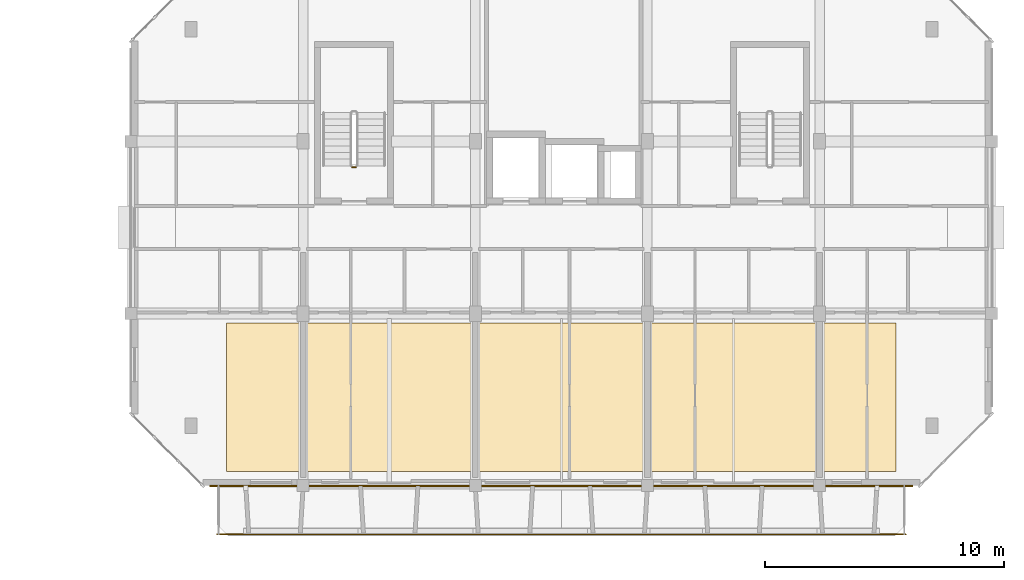
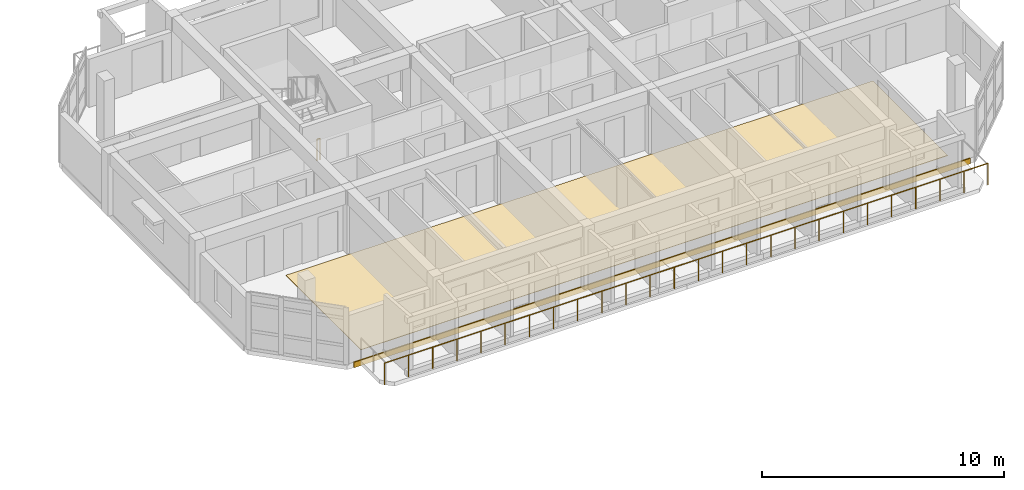
# One storey, part 40 of 44: 2 coverings, 2 railings.
"""IFC4 building model written with IfcOpenShell, lengths in metres."""

import ifcopenshell
import ifcopenshell.guid

model = None  # the IFC model being written
_history = None  # IfcOwnerHistory: only IFC2X3 demands one
_inside = {}  # id of a spatial element -> (the spatial element, [elements in it])
_under = {}  # id of a project, library or spatial element -> (it, [spatial elements below it])
_declared = {}  # id of a project -> (the project, [libraries it declares])
_typed = {}  # id of a type object -> (the type object, [elements of that type])
_made_of = {}  # id of a material, layer set ... -> (it, [elements and type objects made of it])


def new_model(schema):
    """Start an empty IFC model of exactly this schema.

    Asked for "IFC4X3", IfcOpenShell would pick the latest addendum, in which some entities
    have other attributes; the version numbers below select the first issue.
    IFC2X3 requires an IfcOwnerHistory on every rooted entity: one is made here for all.
    """
    global model, _history
    if schema == "IFC4X3":
        model = ifcopenshell.file(schema_version=(4, 3, 0, 0))
    else:
        model = ifcopenshell.file(schema=schema)
    _inside.clear()
    _under.clear()
    _declared.clear()
    _typed.clear()
    _made_of.clear()
    _history = None
    if model.schema == "IFC2X3":
        org = make("IfcOrganization", Name="unknown")
        user = make(
            "IfcPersonAndOrganization",
            ThePerson=make("IfcPerson", FamilyName="unknown"),
            TheOrganization=org,
        )
        app = make(
            "IfcApplication",
            ApplicationDeveloper=org,
            Version="unknown",
            ApplicationFullName="unknown",
            ApplicationIdentifier="unknown",
        )
        _history = make(
            "IfcOwnerHistory",
            OwningUser=user,
            OwningApplication=app,
            ChangeAction="ADDED",
            CreationDate=0,
        )
    return model


def make(cls, **values):
    """One entity of the class cls with the attributes given. An attribute that is None is left unset."""
    return model.create_entity(
        cls, **{name: value for name, value in values.items() if value is not None}
    )


def rooted(cls, **values):
    """An entity with a GlobalId (a new one), such as an element, a storey or a relation."""
    return make(cls, GlobalId=ifcopenshell.guid.new(), OwnerHistory=_history, **values)


def si_unit(unit_type, name, prefix=None):
    """IfcSIUnit, for example si_unit("LENGTHUNIT", "METRE", prefix="MILLI")."""
    return make("IfcSIUnit", UnitType=unit_type, Prefix=prefix, Name=name)


def assignment(units):
    """IfcUnitAssignment: the units of a project."""
    return None if units is None else make("IfcUnitAssignment", Units=units)


def point(xyz):
    """IfcCartesianPoint."""
    return None if xyz is None else make("IfcCartesianPoint", Coordinates=xyz)


def direction(xyz):
    """IfcDirection."""
    return None if xyz is None else make("IfcDirection", DirectionRatios=xyz)


def frame(location, z_axis=None, x_axis=None):
    """IfcAxis2Placement3D, a coordinate frame: its origin and axes. An axis left out is left unset."""
    return make(
        "IfcAxis2Placement3D",
        Location=point(location),
        Axis=direction(z_axis),
        RefDirection=direction(x_axis),
    )


def frame_2d(location, x_axis=None):
    """IfcAxis2Placement2D, a coordinate frame in the plane: its origin and x axis."""
    return make(
        "IfcAxis2Placement2D", Location=point(location), RefDirection=direction(x_axis)
    )


def origin():
    """The frame at (0, 0, 0) with its axes left unset."""
    return frame((0.0, 0.0, 0.0))


def origin_2d():
    """The frame at (0, 0) in the plane with its x axis left unset."""
    return frame_2d((0.0, 0.0))


def place(relative_to, where):
    """IfcLocalPlacement: puts the frame where relative to a parent placement (None: the world)."""
    return make(
        "IfcLocalPlacement", PlacementRelTo=relative_to, RelativePlacement=where
    )


def context(
    kind, dimensions, precision=None, world=None, true_north=None, identifier=None
):
    """IfcGeometricRepresentationContext, for example the 3D "Model" context."""
    return make(
        "IfcGeometricRepresentationContext",
        ContextIdentifier=identifier,
        ContextType=kind,
        CoordinateSpaceDimension=dimensions,
        Precision=precision,
        WorldCoordinateSystem=world,
        TrueNorth=true_north,
    )


def subcontext(parent, identifier, kind, view, scale=None):
    """IfcGeometricRepresentationSubContext, for example "Body" below "Model"."""
    return make(
        "IfcGeometricRepresentationSubContext",
        ContextIdentifier=identifier,
        ContextType=kind,
        ParentContext=parent,
        TargetScale=scale,
        TargetView=view,
    )


def project(units=None, contexts=None):
    """IfcProject with its units and contexts."""
    return rooted(
        "IfcProject",
        Name="project",
        RepresentationContexts=contexts,
        UnitsInContext=assignment(units),
    )


def spatial(cls, under=None, at=None, **own):
    """A site, building, storey or space (cls), placed at a placement, below another one or the project."""
    s = rooted(cls, ObjectPlacement=at, **own)
    if under is not None:
        _under.setdefault(under.id(), (under, []))[1].append(s)
    return s


def polyline(points):
    """IfcPolyline through the points."""
    return make("IfcPolyline", Points=[point(p) for p in points])


def profile(cls, at=None, kind="AREA", **sizes):
    """A parametric profile (cls). Its sizes go by their IFC names, for example OverallWidth=200.0."""
    return make(cls, ProfileType=kind, Position=at, **sizes)


def rectangle(**sizes):
    """IfcRectangleProfileDef."""
    return profile("IfcRectangleProfileDef", **sizes)


def circle(**sizes):
    """IfcCircleProfileDef."""
    return profile("IfcCircleProfileDef", **sizes)


def outline(outer, holes=None, kind="AREA"):
    """IfcArbitraryClosedProfileDef: a profile drawn as a closed curve; with holes, ...WithVoids."""
    if holes is None:
        return make("IfcArbitraryClosedProfileDef", ProfileType=kind, OuterCurve=outer)
    return make(
        "IfcArbitraryProfileDefWithVoids",
        ProfileType=kind,
        OuterCurve=outer,
        InnerCurves=holes,
    )


def extrude(swept, where, along, depth):
    """IfcExtrudedAreaSolid: the profile swept, set in the frame where, extruded along a direction by depth."""
    return make(
        "IfcExtrudedAreaSolid",
        SweptArea=swept,
        Position=where,
        ExtrudedDirection=direction(along),
        Depth=depth,
    )


def shape(context_of_items, identifier, shape_type, items):
    """IfcShapeRepresentation: the items that make up one representation, for example the "Body"."""
    return make(
        "IfcShapeRepresentation",
        ContextOfItems=context_of_items,
        RepresentationIdentifier=identifier,
        RepresentationType=shape_type,
        Items=items,
    )


def material(Name=None, Category=None):
    """IfcMaterial."""
    return make("IfcMaterial", Name=Name, Category=Category)


def layer(
    of_material, thickness, ventilated=None, Name=None, Category=None, Priority=None
):
    """IfcMaterialLayer: one layer of a wall or slab, of a material (None: an air gap)."""
    return make(
        "IfcMaterialLayer",
        Material=of_material,
        LayerThickness=thickness,
        IsVentilated=ventilated,
        Name=Name,
        Category=Category,
        Priority=Priority,
    )


def layer_set(layers, Name=None):
    """IfcMaterialLayerSet."""
    return make("IfcMaterialLayerSet", MaterialLayers=layers, LayerSetName=Name)


def made_of(thing, what):
    """Note that an element or type object is made of a material, layer set ...; save() writes the relation."""
    if what is not None:
        _made_of.setdefault(what.id(), (what, []))[1].append(thing)
    return thing


def type_object(cls, material=None, **own):
    """A type object (cls), such as IfcWallType, which elements share."""
    return made_of(rooted(cls, **own), material)


def element(
    cls,
    number,
    at=None,
    inside=None,
    cuts=None,
    type_object=None,
    material=None,
    context=None,
    identifier="Body",
    shape_type=None,
    held_by="IfcProductDefinitionShape",
    body=None,
    shapes=None,
    **own,
):
    """One element of the class cls, such as IfcWall. Its Tag is "e" and its number.

    at: its placement. inside: the storey or other place that contains it. cuts: it is an
    opening in that element (IfcRelVoidsElement). A single representation is given by context,
    identifier, shape_type and body (its items); several are given by shapes. held_by: the class
    of the entity that holds the representations. save() writes the other relations.
    """
    e = rooted(cls, Tag="e%d" % number, ObjectPlacement=at, **own)
    if body is not None:
        shapes = [shape(context, identifier, shape_type, body)]
    if shapes is not None:
        e.Representation = make(held_by, Representations=shapes)
    if inside is not None:
        _inside.setdefault(inside.id(), (inside, []))[1].append(e)
    if cuts is not None:
        rooted(
            "IfcRelVoidsElement", RelatingBuildingElement=cuts, RelatedOpeningElement=e
        )
    if type_object is not None:
        _typed.setdefault(type_object.id(), (type_object, []))[1].append(e)
    return made_of(e, material)


def aggregate(whole, parts):
    """IfcRelAggregates: a whole, such as a stair, and the parts it consists of."""
    return rooted("IfcRelAggregates", RelatingObject=whole, RelatedObjects=parts)


def save(model, path):
    """Write the relations noted so far, then the file.

    IfcRelAggregates (storeys below a building ...), IfcRelContainedInSpatialStructure (elements
    in a storey), IfcRelDefinesByType, IfcRelAssociatesMaterial and IfcRelDeclares: one each for
    every whole, place, type object, material and project.
    """
    for whole, parts in _under.values():
        aggregate(whole, parts)
    for where, things in _inside.values():
        rooted(
            "IfcRelContainedInSpatialStructure",
            RelatedElements=things,
            RelatingStructure=where,
        )
    for kind, things in _typed.values():
        rooted("IfcRelDefinesByType", RelatedObjects=things, RelatingType=kind)
    for what, things in _made_of.values():
        rooted("IfcRelAssociatesMaterial", RelatedObjects=things, RelatingMaterial=what)
    for by, libraries in _declared.values():
        rooted("IfcRelDeclares", RelatingContext=by, RelatedDefinitions=libraries)
    model.write(path)


model = new_model("IFC4")

# Units and contexts
model_context = context("Model", 3, precision=1e-05, world=origin(), true_north=direction((0.0, 1.0)))
body_context = subcontext(model_context, "Body", "Model", "MODEL_VIEW")
ifc_project = project(units=[si_unit("LENGTHUNIT", "METRE"), si_unit("AREAUNIT", "SQUARE_METRE"), si_unit("VOLUMEUNIT", "CUBIC_METRE"), si_unit("PLANEANGLEUNIT", "RADIAN"), si_unit("MASSUNIT", "GRAM", prefix="KILO")], contexts=[model_context])

# Site, building, storey
site_placement = place(None, origin())
site = spatial("IfcSite", under=ifc_project, at=site_placement, CompositionType="ELEMENT")
building_placement = place(site_placement, origin())
building = spatial("IfcBuilding", under=site, at=building_placement, Name="Ochrevale Crest", CompositionType="ELEMENT")
storey_placement = place(building_placement, frame((0.0, 0.0, 21.300048828125)))
storey = spatial("IfcBuildingStorey", under=building, at=storey_placement, Name="L06", CompositionType="ELEMENT", Elevation=21.300048828125)

# Coverings
ifc_material_1 = material(Name="Glazed terracotta rainscreen tile", Category="masonry")
ifc_layer_1 = layer(ifc_material_1, 0.048095703125)
ifc_layer_set_1 = layer_set([ifc_layer_1], Name="Glazed terracotta rainscreen tile")
covering_type_1 = type_object("IfcCoveringType", Name="COV-CLAD-TER", PredefinedType="CLADDING", material=ifc_layer_set_1)
covering_1_placement = place(storey_placement, frame((147.60009765625, 14.387451171875, -0.26025390625), z_axis=(0.0, 0.0, 1.0), x_axis=(1.0, 0.0, 0.0)))
element("IfcCovering", 1, at=covering_1_placement, inside=storey, type_object=covering_type_1, Name="Block C L06 terracotta slab-edge spandrel cladding", PredefinedType="CLADDING", context=body_context, shape_type="SweptSolid", body=[
    extrude(rectangle(XDim=29.39990234375, YDim=0.06005859375, at=origin_2d()), origin(), (0.0, 0.0, 1.0), 0.280029296875),
])
ifc_material_2 = material(Name="Engineered spotted-gum hardwood flooring", Category="wood")
ifc_layer_2 = layer(ifc_material_2, 0.02001953125)
ifc_layer_set_2 = layer_set([ifc_layer_2], Name="Engineered spotted-gum hardwood flooring")
covering_type_2 = type_object("IfcCoveringType", Name="COV-FLR-TIM", PredefinedType="FLOORING", material=ifc_layer_set_2)
covering_2_placement = place(storey_placement, origin())
element("IfcCovering", 2, at=covering_2_placement, inside=storey, type_object=covering_type_2, Name="Block C L06 spotted-gum apartment flooring", PredefinedType="FLOORING", context=body_context, shape_type="SweptSolid", body=[
    extrude(outline(polyline([(133.60009765625, 15.0), (161.60009765625, 15.0), (161.60009765625, 21.199951171875), (133.60009765625, 21.199951171875), (133.60009765625, 15.0)])), origin(), (0.0, 0.0, 1.0), 0.02001953125),
])

# Railings
ifc_material_3 = material(Name="Galvanised steel", Category="steel")
railing_type_1 = type_object("IfcRailingType", Name="RL-BAL-1100", PredefinedType="BALUSTRADE", material=ifc_material_3)
railing_1_placement = place(storey_placement, frame((133.199951171875, 12.360107421875, 0.0)))
element("IfcRailing", 3, at=railing_1_placement, inside=storey, type_object=railing_type_1, Name="Block C L06 S balcony front balustrade", PredefinedType="BALUSTRADE", context=body_context, shape_type="SweptSolid", body=[
    extrude(circle(Radius=0.02392578125, at=origin_2d()), frame((0.0, 0.0, 1.0859375), z_axis=(1.0, 0.0, 0.0), x_axis=(0.0, 1.0, 0.0)), (0.0, 0.0, 1.0), 28.800048828125),
    extrude(circle(Radius=0.02099609375, at=origin_2d()), origin(), (0.0, 0.0, 1.0), 1.06201171875),
    extrude(circle(Radius=0.02099609375, at=origin_2d()), frame((1.152099609375, 0.0, 0.0)), (0.0, 0.0, 1.0), 1.06201171875),
    extrude(circle(Radius=0.02099609375, at=origin_2d()), frame((2.303955078125, 0.0, 0.0)), (0.0, 0.0, 1.0), 1.06201171875),
    extrude(circle(Radius=0.02099609375, at=origin_2d()), frame((3.4560546875, 0.0, 0.0)), (0.0, 0.0, 1.0), 1.06201171875),
    extrude(circle(Radius=0.02099609375, at=origin_2d()), frame((4.60791015625, 0.0, 0.0)), (0.0, 0.0, 1.0), 1.06201171875),
    extrude(circle(Radius=0.02099609375, at=origin_2d()), frame((5.760009765625, 0.0, 0.0)), (0.0, 0.0, 1.0), 1.06201171875),
    extrude(circle(Radius=0.02099609375, at=origin_2d()), frame((6.912109375, 0.0, 0.0)), (0.0, 0.0, 1.0), 1.06201171875),
    extrude(circle(Radius=0.02099609375, at=origin_2d()), frame((8.06396484375, 0.0, 0.0)), (0.0, 0.0, 1.0), 1.06201171875),
    extrude(circle(Radius=0.02099609375, at=origin_2d()), frame((9.216064453125, 0.0, 0.0)), (0.0, 0.0, 1.0), 1.06201171875),
    extrude(circle(Radius=0.02099609375, at=origin_2d()), frame((10.367919921875, 0.0, 0.0)), (0.0, 0.0, 1.0), 1.06201171875),
    extrude(circle(Radius=0.02099609375, at=origin_2d()), frame((11.52001953125, 0.0, 0.0)), (0.0, 0.0, 1.0), 1.06201171875),
    extrude(circle(Radius=0.02099609375, at=origin_2d()), frame((12.672119140625, 0.0, 0.0)), (0.0, 0.0, 1.0), 1.06201171875),
    extrude(circle(Radius=0.02099609375, at=origin_2d()), frame((13.823974609375, 0.0, 0.0)), (0.0, 0.0, 1.0), 1.06201171875),
    extrude(circle(Radius=0.02099609375, at=origin_2d()), frame((14.97607421875, 0.0, 0.0)), (0.0, 0.0, 1.0), 1.06201171875),
    extrude(circle(Radius=0.02099609375, at=origin_2d()), frame((16.1279296875, 0.0, 0.0)), (0.0, 0.0, 1.0), 1.06201171875),
    extrude(circle(Radius=0.02099609375, at=origin_2d()), frame((17.280029296875, 0.0, 0.0)), (0.0, 0.0, 1.0), 1.06201171875),
    extrude(circle(Radius=0.02099609375, at=origin_2d()), frame((18.43212890625, 0.0, 0.0)), (0.0, 0.0, 1.0), 1.06201171875),
    extrude(circle(Radius=0.02099609375, at=origin_2d()), frame((19.583984375, 0.0, 0.0)), (0.0, 0.0, 1.0), 1.06201171875),
    extrude(circle(Radius=0.02099609375, at=origin_2d()), frame((20.736083984375, 0.0, 0.0)), (0.0, 0.0, 1.0), 1.06201171875),
    extrude(circle(Radius=0.02099609375, at=origin_2d()), frame((21.887939453125, 0.0, 0.0)), (0.0, 0.0, 1.0), 1.06201171875),
    extrude(circle(Radius=0.02099609375, at=origin_2d()), frame((23.0400390625, 0.0, 0.0)), (0.0, 0.0, 1.0), 1.06201171875),
    extrude(circle(Radius=0.02099609375, at=origin_2d()), frame((24.192138671875, 0.0, 0.0)), (0.0, 0.0, 1.0), 1.06201171875),
    extrude(circle(Radius=0.02099609375, at=origin_2d()), frame((25.343994140625, 0.0, 0.0)), (0.0, 0.0, 1.0), 1.06201171875),
    extrude(circle(Radius=0.02099609375, at=origin_2d()), frame((26.49609375, 0.0, 0.0)), (0.0, 0.0, 1.0), 1.06201171875),
    extrude(circle(Radius=0.02099609375, at=origin_2d()), frame((27.64794921875, 0.0, 0.0)), (0.0, 0.0, 1.0), 1.06201171875),
    extrude(circle(Radius=0.02099609375, at=origin_2d()), frame((28.800048828125, 0.0, 0.0)), (0.0, 0.0, 1.0), 1.06201171875),
])
railing_type_2 = type_object("IfcRailingType", Name="RL-ST-GUARD", PredefinedType="BALUSTRADE", material=ifc_material_3)
railing_2_placement = place(storey_placement, frame((139.0, 27.72509765625, 0.0)))
element("IfcRailing", 4, at=railing_2_placement, inside=storey, type_object=railing_type_2, Name="L06 ST-C1 stair guard 4", PredefinedType="BALUSTRADE", context=body_context, shape_type="SweptSolid", body=[
    extrude(circle(Radius=0.02392578125, at=origin_2d()), frame((0.0, 0.0, 1.076171875), z_axis=(-1.0, 0.0, 0.0), x_axis=(0.0, -1.0, 0.0)), (0.0, 0.0, 1.0), 0.14990234375),
    extrude(circle(Radius=0.02099609375, at=origin_2d()), origin(), (0.0, 0.0, 1.0), 1.052001953125),
    extrude(circle(Radius=0.02099609375, at=origin_2d()), frame((-0.14990234375, 0.0, 0.0)), (0.0, 0.0, 1.0), 1.052001953125),
])

save(model, "model.ifc")
